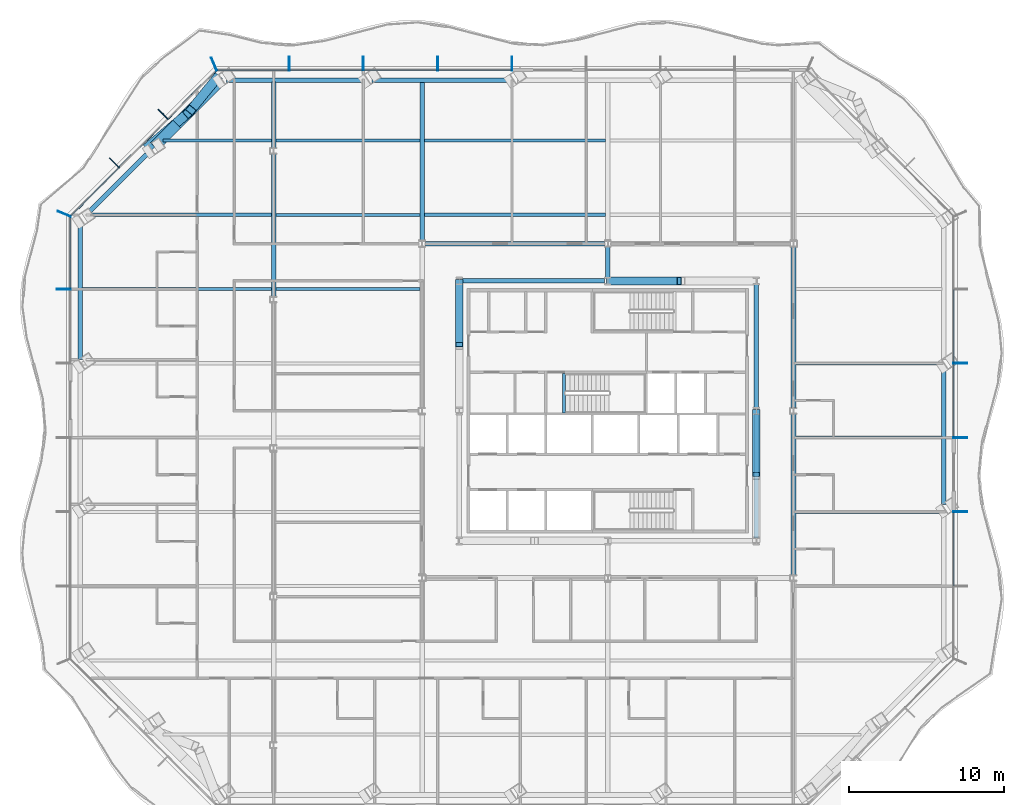
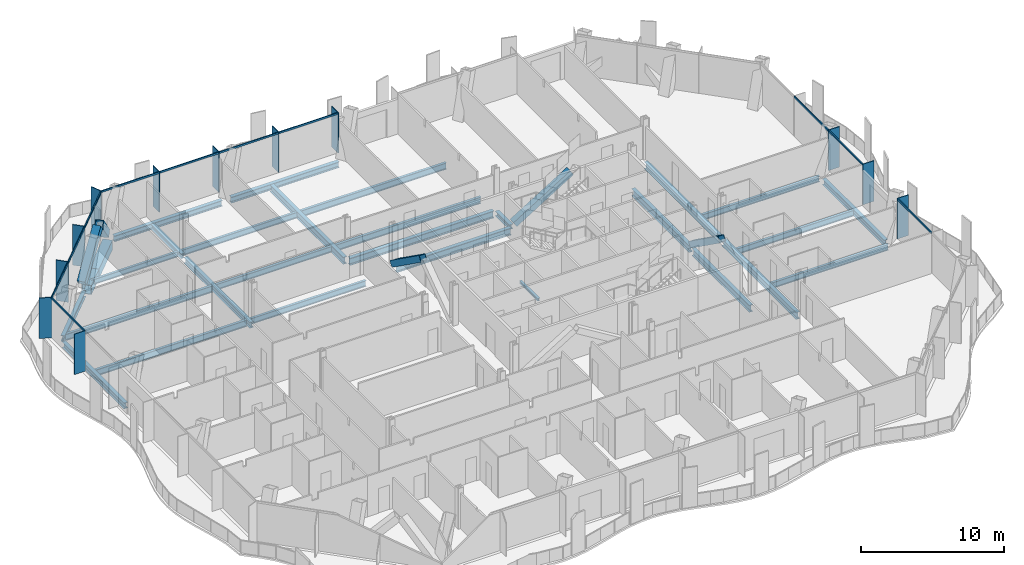
# One storey, part 3 of 17: 29 beams, 28 members, 4 elements without a shape of their own.
"""IFC4 building model written with IfcOpenShell, lengths in metres."""

from ifc_helpers import new_model, si_unit, direction, frame, origin, origin_2d, place, context, subcontext, project, spatial, rectangle, hollow_rectangle, i_section, extrude, material, material_profile, profile_set, type_object, element, aggregate, save


model = new_model("IFC4")

# Units and contexts
model_context = context("Model", 3, precision=1e-05, world=origin(), true_north=direction((0.0, 1.0)))
body_context = subcontext(model_context, "Body", "Model", "MODEL_VIEW")
ifc_project = project(units=[si_unit("LENGTHUNIT", "METRE"), si_unit("AREAUNIT", "SQUARE_METRE"), si_unit("VOLUMEUNIT", "CUBIC_METRE"), si_unit("PLANEANGLEUNIT", "RADIAN"), si_unit("MASSUNIT", "GRAM", prefix="KILO")], contexts=[model_context])

# Site, building, storey
site_placement = place(None, origin())
site = spatial("IfcSite", under=ifc_project, at=site_placement, CompositionType="ELEMENT")
building_placement = place(site_placement, origin())
building = spatial("IfcBuilding", under=site, at=building_placement, Name="Cairn Pilgrim Tower", CompositionType="ELEMENT")
storey_placement = place(building_placement, frame((0.0, 0.0, 94.199951171875)))
storey = spatial("IfcBuildingStorey", under=building, at=storey_placement, Name="L22", CompositionType="ELEMENT", Elevation=94.199951171875)

# Members
ifc_material_1 = material(Name="Structural steel S460M", Category="steel")
ifc_material_profile_1 = material_profile(ifc_material_1, hollow_rectangle(XDim=0.5, YDim=0.5, WallThickness=0.030029296875, at=origin_2d()), Name="BOX 500x500x30")
ifc_profile_set_1 = profile_set([ifc_material_profile_1], Name="Structural steel S460M")
member_type_1 = type_object("IfcMemberType", Name="BOX 500x500x30 BRACE", PredefinedType="BRACE", material=ifc_profile_set_1)
member_1_placement = place(storey_placement, frame((16.800048828125, 2.356201171875, 0.10009765625), z_axis=(0.0, -0.814182254599, 0.580609383576), x_axis=(1.0, 0.0, 0.0)))
element("IfcMember", 1, at=member_1_placement, inside=storey, type_object=member_type_1, Name="KB-2B", PredefinedType="BRACE", context=body_context, shape_type="SweptSolid", body=[
    extrude(hollow_rectangle(XDim=0.5, YDim=0.5, WallThickness=0.030029296875, at=origin_2d()), origin(), (0.0, 0.0, 1.0), 4.996337890625),
])
member_2_placement = place(storey_placement, frame((7.24365234375, 10.800048828125, 0.10009765625), z_axis=(0.851007515624, 0.0, 0.525153509321), x_axis=(0.0, 1.0, 0.0)))
element("IfcMember", 2, at=member_2_placement, inside=storey, type_object=member_type_1, Name="KB-3B", PredefinedType="BRACE", context=body_context, shape_type="SweptSolid", body=[
    extrude(hollow_rectangle(XDim=0.5, YDim=0.5, WallThickness=0.030029296875, at=origin_2d()), origin(), (0.0, 0.0, 1.0), 5.37646484375),
])
member_3_placement = place(storey_placement, frame((-2.39990234375, 10.75634765625, 0.10009765625), z_axis=(0.0, -0.814198726233, 0.580586284889), x_axis=(1.0, 0.0, 0.0)))
element("IfcMember", 3, at=member_3_placement, inside=storey, type_object=member_type_1, Name="KB-4A", PredefinedType="BRACE", context=body_context, shape_type="SweptSolid", body=[
    extrude(hollow_rectangle(XDim=0.5, YDim=0.5, WallThickness=0.030029296875, at=origin_2d()), origin(), (0.0, 0.0, 1.0), 4.99658203125),
])
ifc_material_profile_2 = material_profile(ifc_material_1, hollow_rectangle(XDim=0.60009765625, YDim=0.60009765625, WallThickness=0.034912109375, at=origin_2d()), Name="BOX 600x600x35")
ifc_profile_set_2 = profile_set([ifc_material_profile_2], Name="Structural steel S460M")
member_type_2 = type_object("IfcMemberType", Name="BOX 600x600x35 BRACE", PredefinedType="BRACE", material=ifc_profile_set_2)
member_4_placement = place(storey_placement, frame((-18.062744140625, 23.903076171875, 0.150146484375), z_axis=(-0.45008862219, -0.551118248993, 0.702629993525), x_axis=(0.774526124474, -0.632541921542, 0.0)))
element("IfcMember", 4, at=member_4_placement, inside=storey, type_object=member_type_2, Name="XB-NW1-NW2-1", PredefinedType="BRACE", context=body_context, shape_type="SweptSolid", body=[
    extrude(hollow_rectangle(XDim=0.60009765625, YDim=0.60009765625, WallThickness=0.034912109375, at=origin_2d()), origin(), (0.0, 0.0, 1.0), 3.733642578125),
])
member_5_placement = place(storey_placement, frame((-22.486083984375, 19.479736328125, 0.150146484375), z_axis=(0.596586502099, 0.507150625353, 0.6219990263), x_axis=(-0.647687046604, 0.761906483541, 0.0)))
element("IfcMember", 5, at=member_5_placement, inside=storey, type_object=member_type_2, Name="XB-NW1-NW2-2", PredefinedType="BRACE", context=body_context, shape_type="SweptSolid", body=[
    extrude(hollow_rectangle(XDim=0.60009765625, YDim=0.60009765625, WallThickness=0.034912109375, at=origin_2d()), origin(), (0.0, 0.0, 1.0), 4.217529296875),
])

# Beams
ifc_material_2 = material(Name="Structural steel S355J2", Category="steel")
ifc_material_profile_3 = material_profile(ifc_material_2, hollow_rectangle(XDim=0.699951171875, YDim=0.800048828125, WallThickness=0.0400390625, at=origin_2d()), Name="BOX 700x800x40")
ifc_profile_set_3 = profile_set([ifc_material_profile_3], Name="Structural steel S355J2")
beam_type_1 = type_object("IfcBeamType", Name="BOX 700x800x40 RING GIRDER", PredefinedType="SPANDREL", material=ifc_profile_set_3)
beam_1_placement = place(storey_placement, frame((-18.073486328125, 23.517578125, -0.550048828125), z_axis=(-0.707140148658, -0.70707341214, 0.0), x_axis=(0.70707341214, -0.707140148658, 0.0)))
element("IfcBeam", 6, at=beam_1_placement, inside=storey, type_object=beam_type_1, Name="RG1-NW1-NW2-1", PredefinedType="SPANDREL", context=body_context, shape_type="SweptSolid", body=[
    extrude(hollow_rectangle(XDim=0.699951171875, YDim=0.800048828125, WallThickness=0.0400390625, at=origin_2d()), origin(), (0.0, 0.0, 1.0), 3.658203125),
])
beam_2_placement = place(storey_placement, frame((-20.660400390625, 20.930908203125, -0.550048828125), z_axis=(-0.707046849265, -0.707166708029, 0.0), x_axis=(0.707166708029, -0.707046849265, 0.0)))
element("IfcBeam", 7, at=beam_2_placement, inside=storey, type_object=beam_type_1, Name="RG1-NW1-NW2-2", PredefinedType="SPANDREL", context=body_context, shape_type="SweptSolid", body=[
    extrude(hollow_rectangle(XDim=0.699951171875, YDim=0.800048828125, WallThickness=0.0400390625, at=origin_2d()), origin(), (0.0, 0.0, 1.0), 2.036865234375),
])

# Curtain wall, members
ifc_material_3 = material(Name="Aluminium alloy 6063-T6 bronze anodised with Bronze tinted laminated low-E glass 8+16+8.8", Category="aluminium")
curtain_wall_type_1 = type_object("IfcCurtainWallType", Name="TOWER STICK CURTAIN WALL EW", PredefinedType="NOTDEFINED", material=ifc_material_3)
curtain_wall_1_placement = place(storey_placement, origin())
curtain_wall_1 = element("IfcCurtainWall", 8, at=curtain_wall_1_placement, inside=storey, type_object=curtain_wall_type_1, Name="Tower Stick Curtain Wall Ew E", PredefinedType="NOTDEFINED")
ifc_material_4 = material(Name="Aluminium alloy 6063-T6 bronze anodised", Category="aluminium")
ifc_material_profile_4 = material_profile(ifc_material_4, rectangle(XDim=0.89990234375, YDim=0.06005859375, at=origin_2d()), Name="FIN MULLION 60x900 BRONZE")
ifc_profile_set_4 = profile_set([ifc_material_profile_4], Name="Aluminium alloy 6063-T6 bronze anodised")
member_type_3 = type_object("IfcMemberType", Name="FIN MULLION 60x900 BRONZE", PredefinedType="MULLION", material=ifc_profile_set_4)
member_6_placement = place(storey_placement, frame((29.978271484375, -4.127685546875, 0.0), z_axis=(0.0, 0.0, 1.0), x_axis=(1.0, 0.0, 0.0)))
member_6 = element("IfcMember", 9, at=member_6_placement, type_object=member_type_3, Name="Fin mullion E3", PredefinedType="MULLION", context=body_context, shape_type="SweptSolid", body=[
    extrude(rectangle(XDim=0.89990234375, YDim=0.06005859375, at=origin_2d()), origin(), (0.0, 0.0, 1.0), 3.449951171875),
])
member_7_placement = place(storey_placement, frame((29.978271484375, 0.67236328125, 0.0), z_axis=(0.0, 0.0, 1.0), x_axis=(1.0, 0.0, 0.0)))
member_7 = element("IfcMember", 10, at=member_7_placement, type_object=member_type_3, Name="Fin mullion E4", PredefinedType="MULLION", context=body_context, shape_type="SweptSolid", body=[
    extrude(rectangle(XDim=0.89990234375, YDim=0.06005859375, at=origin_2d()), origin(), (0.0, 0.0, 1.0), 3.449951171875),
])
member_8_placement = place(storey_placement, frame((29.978271484375, 5.47216796875, 0.0), z_axis=(0.0, 0.0, 1.0), x_axis=(1.0, 0.0, 0.0)))
member_8 = element("IfcMember", 11, at=member_8_placement, type_object=member_type_3, Name="Fin mullion E5", PredefinedType="MULLION", context=body_context, shape_type="SweptSolid", body=[
    extrude(rectangle(XDim=0.89990234375, YDim=0.06005859375, at=origin_2d()), origin(), (0.0, 0.0, 1.0), 3.449951171875),
])

curtain_wall_type_2 = type_object("IfcCurtainWallType", Name="TOWER STICK CURTAIN WALL NS", PredefinedType="NOTDEFINED", material=ifc_material_3)
curtain_wall_2_placement = place(storey_placement, origin())
curtain_wall_2 = element("IfcCurtainWall", 12, at=curtain_wall_2_placement, inside=storey, type_object=curtain_wall_type_2, Name="Tower Stick Curtain Wall Ns N", PredefinedType="NOTDEFINED")
member_9_placement = place(storey_placement, frame((1.00830078125, 24.84228515625, 0.0), z_axis=(0.0, 0.0, 1.0), x_axis=(0.0, 1.0, 0.0)))
member_9 = element("IfcMember", 13, at=member_9_placement, type_object=member_type_3, Name="Fin mullion N5", PredefinedType="MULLION", context=body_context, shape_type="SweptSolid", body=[
    extrude(rectangle(XDim=0.89990234375, YDim=0.06005859375, at=origin_2d()), origin(), (0.0, 0.0, 1.0), 3.449951171875),
])
member_10_placement = place(storey_placement, frame((-3.79150390625, 24.84228515625, 0.0), z_axis=(0.0, 0.0, 1.0), x_axis=(0.0, 1.0, 0.0)))
member_10 = element("IfcMember", 14, at=member_10_placement, type_object=member_type_3, Name="Fin mullion N6", PredefinedType="MULLION", context=body_context, shape_type="SweptSolid", body=[
    extrude(rectangle(XDim=0.89990234375, YDim=0.06005859375, at=origin_2d()), origin(), (0.0, 0.0, 1.0), 3.449951171875),
])
member_11_placement = place(storey_placement, frame((-8.591552734375, 24.84228515625, 0.0), z_axis=(0.0, 0.0, 1.0), x_axis=(0.0, 1.0, 0.0)))
member_11 = element("IfcMember", 15, at=member_11_placement, type_object=member_type_3, Name="Fin mullion N7", PredefinedType="MULLION", context=body_context, shape_type="SweptSolid", body=[
    extrude(rectangle(XDim=0.89990234375, YDim=0.06005859375, at=origin_2d()), origin(), (0.0, 0.0, 1.0), 3.449951171875),
])
member_12_placement = place(storey_placement, frame((-13.3916015625, 24.84228515625, 0.0), z_axis=(0.0, 0.0, 1.0), x_axis=(0.0, 1.0, 0.0)))
member_12 = element("IfcMember", 16, at=member_12_placement, type_object=member_type_3, Name="Fin mullion N8", PredefinedType="MULLION", context=body_context, shape_type="SweptSolid", body=[
    extrude(rectangle(XDim=0.89990234375, YDim=0.06005859375, at=origin_2d()), origin(), (0.0, 0.0, 1.0), 3.449951171875),
])

curtain_wall_type_3 = type_object("IfcCurtainWallType", Name="CHAMFER CORNER CURTAIN WALL", PredefinedType="NOTDEFINED", material=ifc_material_3)
curtain_wall_3_placement = place(storey_placement, origin())
curtain_wall_3 = element("IfcCurtainWall", 17, at=curtain_wall_3_placement, inside=storey, type_object=curtain_wall_type_3, Name="Chamfer Corner Curtain Wall NW", PredefinedType="NOTDEFINED")
member_13_placement = place(storey_placement, frame((-18.248779296875, 24.810302734375, 0.0), z_axis=(0.0, 0.0, 1.0), x_axis=(-0.382683432365, 0.923879532511, 0.0)))
member_13 = element("IfcMember", 18, at=member_13_placement, type_object=member_type_3, Name="Fin mullion NW1", PredefinedType="MULLION", context=body_context, shape_type="SweptSolid", body=[
    extrude(rectangle(XDim=0.89990234375, YDim=0.06005859375, at=origin_2d()), origin(), (0.0, 0.0, 1.0), 3.449951171875),
])
member_14_placement = place(storey_placement, frame((-21.5361328125, 21.568115234375, 0.0), z_axis=(0.0, 0.0, 1.0), x_axis=(-0.707106781187, 0.707106781187, 0.0)))
member_14 = element("IfcMember", 19, at=member_14_placement, type_object=member_type_3, Name="Fin mullion NW2", PredefinedType="MULLION", context=body_context, shape_type="SweptSolid", body=[
    extrude(rectangle(XDim=0.89990234375, YDim=0.06005859375, at=origin_2d()), origin(), (0.0, 0.0, 1.0), 3.449951171875),
])
member_15_placement = place(storey_placement, frame((-24.6875, 18.4169921875, 0.0), z_axis=(0.0, 0.0, 1.0), x_axis=(-0.707106781187, 0.707106781187, 0.0)))
member_15 = element("IfcMember", 20, at=member_15_placement, type_object=member_type_3, Name="Fin mullion NW3", PredefinedType="MULLION", context=body_context, shape_type="SweptSolid", body=[
    extrude(rectangle(XDim=0.89990234375, YDim=0.06005859375, at=origin_2d()), origin(), (0.0, 0.0, 1.0), 3.449951171875),
])

curtain_wall_4_placement = place(storey_placement, origin())
curtain_wall_4 = element("IfcCurtainWall", 21, at=curtain_wall_4_placement, inside=storey, type_object=curtain_wall_type_1, Name="Tower Stick Curtain Wall Ew W", PredefinedType="NOTDEFINED")
member_16_placement = place(storey_placement, frame((-27.9296875, 15.12939453125, 0.0), z_axis=(0.0, 0.0, 1.0), x_axis=(-0.923879532511, 0.382683432365, 0.0)))
member_16 = element("IfcMember", 22, at=member_16_placement, type_object=member_type_3, Name="Fin mullion W1", PredefinedType="MULLION", context=body_context, shape_type="SweptSolid", body=[
    extrude(rectangle(XDim=0.89990234375, YDim=0.06005859375, at=origin_2d()), origin(), (0.0, 0.0, 1.0), 3.449951171875),
])
member_17_placement = place(storey_placement, frame((-27.961669921875, 10.272216796875, 0.0), z_axis=(0.0, 0.0, 1.0), x_axis=(-1.0, 0.0, 0.0)))
member_17 = element("IfcMember", 23, at=member_17_placement, type_object=member_type_3, Name="Fin mullion W2", PredefinedType="MULLION", context=body_context, shape_type="SweptSolid", body=[
    extrude(rectangle(XDim=0.89990234375, YDim=0.06005859375, at=origin_2d()), origin(), (0.0, 0.0, 1.0), 3.449951171875),
])

# Beams
ifc_material_profile_5 = material_profile(ifc_material_2, i_section(OverallWidth=0.300048828125, OverallDepth=0.39990234375, WebThickness=0.013427734375, FlangeThickness=0.02392578125, FilletRadius=0.027099609375, at=origin_2d()), Name="HEB 400")
ifc_profile_set_5 = profile_set([ifc_material_profile_5], Name="Structural steel S355J2")
beam_type_2 = type_object("IfcBeamType", Name="HEB 400 GIRDER", PredefinedType="BEAM", material=ifc_profile_set_5)
beam_3_placement = place(storey_placement, frame((-14.39990234375, 19.404541015625, -0.349853515625), z_axis=(0.0, 1.0, 0.0), x_axis=(-1.0, 0.0, 0.0)))
element("IfcBeam", 24, at=beam_3_placement, inside=storey, type_object=beam_type_2, Name="PG1-6", PredefinedType="BEAM", context=body_context, shape_type="SweptSolid", body=[
    extrude(i_section(OverallWidth=0.300048828125, OverallDepth=0.39990234375, WebThickness=0.013427734375, FlangeThickness=0.02392578125, FilletRadius=0.027099609375, at=origin_2d()), origin(), (0.0, 0.0, 1.0), 4.247802734375),
])
beam_4_placement = place(storey_placement, frame((7.199951171875, 11.0185546875, -0.349853515625), z_axis=(0.0, 1.0, 0.0), x_axis=(-1.0, 0.0, 0.0)))
element("IfcBeam", 25, at=beam_4_placement, inside=storey, type_object=beam_type_2, Name="PG3-E2", PredefinedType="BEAM", context=body_context, shape_type="SweptSolid", body=[
    extrude(i_section(OverallWidth=0.300048828125, OverallDepth=0.39990234375, WebThickness=0.013427734375, FlangeThickness=0.02392578125, FilletRadius=0.027099609375, at=origin_2d()), origin(), (0.0, 0.0, 1.0), 1.97705078125),
])
ifc_material_profile_6 = material_profile(ifc_material_2, i_section(OverallWidth=0.300048828125, OverallDepth=0.5, WebThickness=0.014404296875, FlangeThickness=0.028076171875, FilletRadius=0.027099609375, at=origin_2d()), Name="HEB 500")
ifc_profile_set_6 = profile_set([ifc_material_profile_6], Name="Structural steel S355J2")
beam_type_3 = type_object("IfcBeamType", Name="HEB 500 GIRDER", PredefinedType="BEAM", material=ifc_profile_set_6)
beam_5_placement = place(storey_placement, frame((-14.39990234375, 9.804443359375, -0.39990234375), z_axis=(0.0, 1.0, 0.0), x_axis=(-1.0, 0.0, 0.0)))
element("IfcBeam", 26, at=beam_5_placement, inside=storey, type_object=beam_type_3, Name="PG1-5", PredefinedType="BEAM", context=body_context, shape_type="SweptSolid", body=[
    extrude(i_section(OverallWidth=0.300048828125, OverallDepth=0.5, WebThickness=0.014404296875, FlangeThickness=0.028076171875, FilletRadius=0.027099609375, at=origin_2d()), origin(), (0.0, 0.0, 1.0), 9.191162109375),
])
ifc_material_profile_7 = material_profile(ifc_material_2, i_section(OverallWidth=0.300048828125, OverallDepth=0.5, WebThickness=0.014404296875, FlangeThickness=0.028076171875, FilletRadius=0.027099609375, at=origin_2d()), Name="HEB 500")
ifc_profile_set_7 = profile_set([ifc_material_profile_7], Name="Structural steel S355J2")
beam_type_4 = type_object("IfcBeamType", Name="HEB 500 RING GIRDER", PredefinedType="SPANDREL", material=ifc_profile_set_7)
beam_6_placement = place(storey_placement, frame((28.908447265625, -3.6435546875, -0.39990234375), z_axis=(0.0, 1.0, 0.0), x_axis=(-1.0, 0.0, 0.0)))
element("IfcBeam", 27, at=beam_6_placement, inside=storey, type_object=beam_type_4, Name="RG1-E2-E3", PredefinedType="SPANDREL", context=body_context, shape_type="SweptSolid", body=[
    extrude(i_section(OverallWidth=0.300048828125, OverallDepth=0.5, WebThickness=0.014404296875, FlangeThickness=0.028076171875, FilletRadius=0.027099609375, at=origin_2d()), origin(), (0.0, 0.0, 1.0), 8.631591796875),
])
for number, where, z_axis, x_axis, name in (
    (28, (0.6484375, 23.772216796875, -0.39990234375), (-1.0, 0.0, 0.0), (0.0, -1.0, 0.0), "RG1-N3-N4"),
    (29, (-8.76513671875, 23.772216796875, -0.39990234375), (-1.0, 0.0, 0.0), (0.0, -1.0, 0.0), "RG1-N4-NW1"),
):
    element("IfcBeam", number, at=place(storey_placement, frame(where, z_axis=z_axis, x_axis=x_axis)), inside=storey, type_object=beam_type_4, Name=name, PredefinedType="SPANDREL", context=body_context, shape_type="SweptSolid", body=[
        extrude(i_section(OverallWidth=0.300048828125, OverallDepth=0.5, WebThickness=0.014404296875, FlangeThickness=0.028076171875, FilletRadius=0.027099609375, at=origin_2d()), origin(), (0.0, 0.0, 1.0), 8.693603515625),
    ])
beam_7_placement = place(storey_placement, frame((-22.60986328125, 18.981201171875, -0.39990234375), z_axis=(-0.707128214185, -0.707085347538, 0.0), x_axis=(0.707085347538, -0.707128214185, 0.0)))
element("IfcBeam", 30, at=beam_7_placement, inside=storey, type_object=beam_type_4, Name="RG1-NW2-W1", PredefinedType="SPANDREL", context=body_context, shape_type="SweptSolid", body=[
    extrude(i_section(OverallWidth=0.300048828125, OverallDepth=0.5, WebThickness=0.014404296875, FlangeThickness=0.028076171875, FilletRadius=0.027099609375, at=origin_2d()), origin(), (0.0, 0.0, 1.0), 5.6953125),
])
beam_8_placement = place(storey_placement, frame((-26.8916015625, 14.339599609375, -0.39990234375), z_axis=(0.0, -1.0, 0.0), x_axis=(1.0, 0.0, 0.0)))
element("IfcBeam", 31, at=beam_8_placement, inside=storey, type_object=beam_type_4, Name="RG1-W1-W2", PredefinedType="SPANDREL", context=body_context, shape_type="SweptSolid", body=[
    extrude(i_section(OverallWidth=0.300048828125, OverallDepth=0.5, WebThickness=0.014404296875, FlangeThickness=0.028076171875, FilletRadius=0.027099609375, at=origin_2d()), origin(), (0.0, 0.0, 1.0), 8.631591796875),
])
ifc_material_profile_8 = material_profile(ifc_material_2, i_section(OverallWidth=0.300048828125, OverallDepth=0.60009765625, WebThickness=0.015380859375, FlangeThickness=0.030029296875, FilletRadius=0.027099609375, at=origin_2d()), Name="HEB 600")
ifc_profile_set_8 = profile_set([ifc_material_profile_8], Name="Structural steel S355J2")
beam_type_5 = type_object("IfcBeamType", Name="HEB 600 CORE BEAM", PredefinedType="BEAM", material=ifc_profile_set_8)
for number, where, z_axis, x_axis, name in (
    (32, (16.800048828125, -5.803466796875, -0.449951171875), (0.0, 1.0, 0.0), (-1.0, 0.0, 0.0), "CB-3"),
    (33, (16.800048828125, 2.5966796875, -0.449951171875), (0.0, 1.0, 0.0), (-1.0, 0.0, 0.0), "CB-4"),
):
    element("IfcBeam", number, at=place(storey_placement, frame(where, z_axis=z_axis, x_axis=x_axis)), inside=storey, type_object=beam_type_5, Name=name, PredefinedType="BEAM", context=body_context, shape_type="SweptSolid", body=[
        extrude(i_section(OverallWidth=0.300048828125, OverallDepth=0.60009765625, WebThickness=0.015380859375, FlangeThickness=0.030029296875, FilletRadius=0.027099609375, at=origin_2d()), origin(), (0.0, 0.0, 1.0), 8.0068359375),
    ])
beam_9_placement = place(storey_placement, frame((7.00341796875, 10.800048828125, -0.449951171875), z_axis=(-1.0, 0.0, 0.0), x_axis=(0.0, -1.0, 0.0)))
element("IfcBeam", 34, at=beam_9_placement, inside=storey, type_object=beam_type_5, Name="CB-6", PredefinedType="BEAM", context=body_context, shape_type="SweptSolid", body=[
    extrude(i_section(OverallWidth=0.300048828125, OverallDepth=0.60009765625, WebThickness=0.015380859375, FlangeThickness=0.030029296875, FilletRadius=0.027099609375, at=origin_2d()), origin(), (0.0, 0.0, 1.0), 9.206787109375),
])
ifc_material_profile_9 = material_profile(ifc_material_2, i_section(OverallWidth=0.300048828125, OverallDepth=0.60009765625, WebThickness=0.015380859375, FlangeThickness=0.030029296875, FilletRadius=0.027099609375, at=origin_2d()), Name="HEB 600")
ifc_profile_set_9 = profile_set([ifc_material_profile_9], Name="Structural steel S355J2")
beam_type_6 = type_object("IfcBeamType", Name="HEB 600 GIRDER", PredefinedType="BEAM", material=ifc_profile_set_9)
beam_10_placement = place(storey_placement, frame((-4.800048828125, 13.404541015625, -0.449951171875), z_axis=(0.0, 1.0, 0.0), x_axis=(-1.0, 0.0, 0.0)))
element("IfcBeam", 35, at=beam_10_placement, inside=storey, type_object=beam_type_6, Name="PG2-4", PredefinedType="BEAM", context=body_context, shape_type="SweptSolid", body=[
    extrude(i_section(OverallWidth=0.300048828125, OverallDepth=0.60009765625, WebThickness=0.015380859375, FlangeThickness=0.030029296875, FilletRadius=0.027099609375, at=origin_2d()), origin(), (0.0, 0.0, 1.0), 10.247802734375),
])
for number, where, z_axis, x_axis, name in (
    (36, (19.199951171875, -8.195556640625, -0.449951171875), (0.0, 1.0, 0.0), (-1.0, 0.0, 0.0), "PG4-2"),
    (37, (19.199951171875, 2.6044921875, -0.449951171875), (0.0, 1.0, 0.0), (-1.0, 0.0, 0.0), "PG4-3"),
):
    element("IfcBeam", number, at=place(storey_placement, frame(where, z_axis=z_axis, x_axis=x_axis)), inside=storey, type_object=beam_type_6, Name=name, PredefinedType="BEAM", context=body_context, shape_type="SweptSolid", body=[
        extrude(i_section(OverallWidth=0.300048828125, OverallDepth=0.60009765625, WebThickness=0.015380859375, FlangeThickness=0.030029296875, FilletRadius=0.027099609375, at=origin_2d()), origin(), (0.0, 0.0, 1.0), 10.39111328125),
    ])
ifc_material_profile_10 = material_profile(ifc_material_2, i_section(OverallWidth=0.300048828125, OverallDepth=0.60009765625, WebThickness=0.015380859375, FlangeThickness=0.030029296875, FilletRadius=0.027099609375, at=origin_2d()), Name="HEB 600")
ifc_profile_set_10 = profile_set([ifc_material_profile_10], Name="Structural steel S355J2")
beam_type_7 = type_object("IfcBeamType", Name="HEB 600 INNER GIRDER", PredefinedType="BEAM", material=ifc_profile_set_10)
beam_11_placement = place(storey_placement, frame((-4.595458984375, 13.199951171875, -0.449951171875), z_axis=(1.0, 0.0, 0.0), x_axis=(0.0, 1.0, 0.0)))
element("IfcBeam", 38, at=beam_11_placement, inside=storey, type_object=beam_type_7, Name="IG2-1", PredefinedType="BEAM", context=body_context, shape_type="SweptSolid", body=[
    extrude(i_section(OverallWidth=0.300048828125, OverallDepth=0.60009765625, WebThickness=0.015380859375, FlangeThickness=0.030029296875, FilletRadius=0.027099609375, at=origin_2d()), origin(), (0.0, 0.0, 1.0), 11.591064453125),
])
ifc_material_profile_11 = material_profile(ifc_material_2, i_section(OverallWidth=0.18994140625, OverallDepth=0.449951171875, WebThickness=0.009521484375, FlangeThickness=0.0146484375, FilletRadius=0.02099609375, at=origin_2d()), Name="IPE 450")
ifc_profile_set_11 = profile_set([ifc_material_profile_11], Name="Structural steel S355J2")
beam_type_8 = type_object("IfcBeamType", Name="IPE 450 SECONDARY BEAM", PredefinedType="JOIST", material=ifc_profile_set_11)
beam_12_placement = place(storey_placement, frame((-21.53662109375, 19.872314453125, -0.375), z_axis=(1.0, 0.0, 0.0), x_axis=(0.0, 1.0, 0.0)))
element("IfcBeam", 39, at=beam_12_placement, inside=storey, type_object=beam_type_8, Name="SB9-1", PredefinedType="JOIST", context=body_context, shape_type="SweptSolid", body=[
    extrude(i_section(OverallWidth=0.18994140625, OverallDepth=0.449951171875, WebThickness=0.009521484375, FlangeThickness=0.0146484375, FilletRadius=0.02099609375, at=origin_2d()), origin(), (0.0, 0.0, 1.0), 6.986572265625),
])
ifc_material_profile_12 = material_profile(ifc_material_2, i_section(OverallWidth=0.199951171875, OverallDepth=0.5, WebThickness=0.01025390625, FlangeThickness=0.01611328125, FilletRadius=0.02099609375, at=origin_2d()), Name="IPE 500")
ifc_profile_set_12 = profile_set([ifc_material_profile_12], Name="Structural steel S355J2")
beam_type_9 = type_object("IfcBeamType", Name="IPE 500 SECONDARY BEAM", PredefinedType="JOIST", material=ifc_profile_set_12)
for number, where, z_axis, x_axis, name in (
    (40, (19.35009765625, -4.127685546875, -0.39990234375), (1.0, 0.0, 0.0), (0.0, 1.0, 0.0), "SB4-3"),
    (41, (19.35009765625, 0.67236328125, -0.39990234375), (1.0, 0.0, 0.0), (0.0, 1.0, 0.0), "SB5-3"),
    (42, (19.35009765625, 5.472412109375, -0.39990234375), (1.0, 0.0, 0.0), (0.0, 1.0, 0.0), "SB6-3"),
):
    element("IfcBeam", number, at=place(storey_placement, frame(where, z_axis=z_axis, x_axis=x_axis)), inside=storey, type_object=beam_type_9, Name=name, PredefinedType="JOIST", context=body_context, shape_type="SweptSolid", body=[
        extrude(i_section(OverallWidth=0.199951171875, OverallDepth=0.5, WebThickness=0.01025390625, FlangeThickness=0.01611328125, FilletRadius=0.02099609375, at=origin_2d()), origin(), (0.0, 0.0, 1.0), 9.438232421875),
    ])
for number, where, z_axis, x_axis, name in (
    (43, (-14.25, 10.272216796875, -0.39990234375), (1.0, 0.0, 0.0), (0.0, 1.0, 0.0), "SB7-2"),
    (44, (-14.25, 15.072265625, -0.39990234375), (1.0, 0.0, 0.0), (0.0, 1.0, 0.0), "SB8-2"),
    (45, (-14.25, 19.872314453125, -0.39990234375), (1.0, 0.0, 0.0), (0.0, 1.0, 0.0), "SB9-2"),
):
    element("IfcBeam", number, at=place(storey_placement, frame(where, z_axis=z_axis, x_axis=x_axis)), inside=storey, type_object=beam_type_9, Name=name, PredefinedType="JOIST", context=body_context, shape_type="SweptSolid", body=[
        extrude(i_section(OverallWidth=0.199951171875, OverallDepth=0.5, WebThickness=0.01025390625, FlangeThickness=0.01611328125, FilletRadius=0.02099609375, at=origin_2d()), origin(), (0.0, 0.0, 1.0), 9.300048828125),
    ])
ifc_material_profile_13 = material_profile(ifc_material_2, i_section(OverallWidth=0.2099609375, OverallDepth=0.550048828125, WebThickness=0.010986328125, FlangeThickness=0.01708984375, FilletRadius=0.02392578125, at=origin_2d()), Name="IPE 550")
ifc_profile_set_13 = profile_set([ifc_material_profile_13], Name="Structural steel S355J2")
beam_type_10 = type_object("IfcBeamType", Name="IPE 550 SECONDARY BEAM", PredefinedType="JOIST", material=ifc_profile_set_13)
beam_13_placement = place(storey_placement, frame((-26.771484375, 10.272216796875, -0.425048828125), z_axis=(1.0, 0.0, 0.0), x_axis=(0.0, 1.0, 0.0)))
element("IfcBeam", 46, at=beam_13_placement, inside=storey, type_object=beam_type_10, Name="SB7-1", PredefinedType="JOIST", context=body_context, shape_type="SweptSolid", body=[
    extrude(i_section(OverallWidth=0.2099609375, OverallDepth=0.550048828125, WebThickness=0.010986328125, FlangeThickness=0.01708984375, FilletRadius=0.02392578125, at=origin_2d()), origin(), (0.0, 0.0, 1.0), 12.221435546875),
])
beam_14_placement = place(storey_placement, frame((-26.336669921875, 15.072265625, -0.425048828125), z_axis=(1.0, 0.0, 0.0), x_axis=(0.0, 1.0, 0.0)))
element("IfcBeam", 47, at=beam_14_placement, inside=storey, type_object=beam_type_10, Name="SB8-1", PredefinedType="JOIST", context=body_context, shape_type="SweptSolid", body=[
    extrude(i_section(OverallWidth=0.2099609375, OverallDepth=0.550048828125, WebThickness=0.010986328125, FlangeThickness=0.01708984375, FilletRadius=0.02392578125, at=origin_2d()), origin(), (0.0, 0.0, 1.0), 11.78662109375),
])
for number, where, z_axis, x_axis, name in (
    (48, (-4.64990234375, 15.072265625, -0.425048828125), (1.0, 0.0, 0.0), (0.0, 1.0, 0.0), "SB8-3"),
    (49, (-4.64990234375, 19.872314453125, -0.425048828125), (1.0, 0.0, 0.0), (0.0, 1.0, 0.0), "SB9-3"),
):
    element("IfcBeam", number, at=place(storey_placement, frame(where, z_axis=z_axis, x_axis=x_axis)), inside=storey, type_object=beam_type_10, Name=name, PredefinedType="JOIST", context=body_context, shape_type="SweptSolid", body=[
        extrude(i_section(OverallWidth=0.2099609375, OverallDepth=0.550048828125, WebThickness=0.010986328125, FlangeThickness=0.01708984375, FilletRadius=0.02392578125, at=origin_2d()), origin(), (0.0, 0.0, 1.0), 11.699951171875),
    ])
ifc_material_profile_14 = material_profile(ifc_material_2, i_section(OverallWidth=0.199951171875, OverallDepth=0.199951171875, WebThickness=0.009033203125, FlangeThickness=0.014892578125, FilletRadius=0.01806640625, at=origin_2d()), Name="HE 200 B")
ifc_profile_set_14 = profile_set([ifc_material_profile_14], Name="Structural steel S355J2")
beam_type_11 = type_object("IfcBeamType", Name="STAIR LANDING BEAM HE 200 B", PredefinedType="BEAM", material=ifc_profile_set_14)
beam_15_placement = place(storey_placement, frame((4.37548828125, 2.27490234375, -0.25), z_axis=(0.0, 1.0, 0.0), x_axis=(-1.0, 0.0, 0.0)))
element("IfcBeam", 50, at=beam_15_placement, inside=storey, type_object=beam_type_11, Name="STAIR LANDING BEAM LD-HE200B", PredefinedType="BEAM", context=body_context, shape_type="SweptSolid", body=[
    extrude(i_section(OverallWidth=0.199951171875, OverallDepth=0.199951171875, WebThickness=0.009033203125, FlangeThickness=0.014892578125, FilletRadius=0.01806640625, at=origin_2d()), origin(), (0.0, 0.0, 1.0), 2.550048828125),
])

# Member
ifc_material_profile_15 = material_profile(ifc_material_4, rectangle(XDim=0.080078125, YDim=0.14990234375, at=origin_2d()), Name="TRANSOM 80x150 BRONZE")
ifc_profile_set_15 = profile_set([ifc_material_profile_15], Name="Aluminium alloy 6063-T6 bronze anodised")
member_type_4 = type_object("IfcMemberType", Name="TRANSOM 80x150 BRONZE", PredefinedType="USERDEFINED", material=ifc_profile_set_15)
member_18_placement = place(storey_placement, frame((29.558349609375, -8.897705078125, 3.375), z_axis=(0.0, 1.0, 0.0), x_axis=(-1.0, 0.0, 0.0)))
member_18 = element("IfcMember", 51, at=member_18_placement, type_object=member_type_4, Name="Transom E2", ObjectType="TRANSOM", PredefinedType="USERDEFINED", context=body_context, shape_type="SweptSolid", body=[
    extrude(rectangle(XDim=0.080078125, YDim=0.14990234375, at=origin_2d()), origin(), (0.0, 0.0, 1.0), 4.739990234375),
])

member_19_placement = place(storey_placement, frame((29.558349609375, 0.7021484375, 3.375), z_axis=(0.0, 1.0, 0.0), x_axis=(-1.0, 0.0, 0.0)))
member_19 = element("IfcMember", 52, at=member_19_placement, type_object=member_type_4, Name="Transom E4", ObjectType="TRANSOM", PredefinedType="USERDEFINED", context=body_context, shape_type="SweptSolid", body=[
    extrude(rectangle(XDim=0.080078125, YDim=0.14990234375, at=origin_2d()), origin(), (0.0, 0.0, 1.0), 4.739990234375),
])

member_20_placement = place(storey_placement, frame((29.558349609375, 5.502197265625, 3.375), z_axis=(0.0, 1.0, 0.0), x_axis=(-1.0, 0.0, 0.0)))
member_20 = element("IfcMember", 53, at=member_20_placement, type_object=member_type_4, Name="Transom E5", ObjectType="TRANSOM", PredefinedType="USERDEFINED", context=body_context, shape_type="SweptSolid", body=[
    extrude(rectangle(XDim=0.080078125, YDim=0.14990234375, at=origin_2d()), origin(), (0.0, 0.0, 1.0), 4.739990234375),
])

aggregate(curtain_wall_1, [member_6, member_7, member_8, member_18, member_19, member_20])

member_21_placement = place(storey_placement, frame((0.978271484375, 24.42236328125, 3.375), z_axis=(-1.0, 0.0, 0.0), x_axis=(0.0, -1.0, 0.0)))
member_21 = element("IfcMember", 54, at=member_21_placement, type_object=member_type_4, Name="Transom N5", ObjectType="TRANSOM", PredefinedType="USERDEFINED", context=body_context, shape_type="SweptSolid", body=[
    extrude(rectangle(XDim=0.080078125, YDim=0.14990234375, at=origin_2d()), origin(), (0.0, 0.0, 1.0), 4.739990234375),
])

member_22_placement = place(storey_placement, frame((-3.821533203125, 24.42236328125, 3.375), z_axis=(-1.0, 0.0, 0.0), x_axis=(0.0, -1.0, 0.0)))
member_22 = element("IfcMember", 55, at=member_22_placement, type_object=member_type_4, Name="Transom N6", ObjectType="TRANSOM", PredefinedType="USERDEFINED", context=body_context, shape_type="SweptSolid", body=[
    extrude(rectangle(XDim=0.080078125, YDim=0.14990234375, at=origin_2d()), origin(), (0.0, 0.0, 1.0), 4.739990234375),
])

member_23_placement = place(storey_placement, frame((-8.62158203125, 24.42236328125, 3.375), z_axis=(-1.0, 0.0, 0.0), x_axis=(0.0, -1.0, 0.0)))
member_23 = element("IfcMember", 56, at=member_23_placement, type_object=member_type_4, Name="Transom N7", ObjectType="TRANSOM", PredefinedType="USERDEFINED", context=body_context, shape_type="SweptSolid", body=[
    extrude(rectangle(XDim=0.080078125, YDim=0.14990234375, at=origin_2d()), origin(), (0.0, 0.0, 1.0), 4.739990234375),
])

member_24_placement = place(storey_placement, frame((-13.421630859375, 24.42236328125, 3.375), z_axis=(-1.0, 0.0, 0.0), x_axis=(0.0, -1.0, 0.0)))
member_24 = element("IfcMember", 57, at=member_24_placement, type_object=member_type_4, Name="Transom N8", ObjectType="TRANSOM", PredefinedType="USERDEFINED", context=body_context, shape_type="SweptSolid", body=[
    extrude(rectangle(XDim=0.080078125, YDim=0.14990234375, at=origin_2d()), origin(), (0.0, 0.0, 1.0), 4.62646484375),
])

aggregate(curtain_wall_2, [member_9, member_10, member_11, member_12, member_21, member_22, member_23, member_24])

member_25_placement = place(storey_placement, frame((-18.116455078125, 24.39404296875, 3.375), z_axis=(-0.70707895165, -0.707134609628, 0.0), x_axis=(0.707134609628, -0.70707895165, 0.0)))
member_25 = element("IfcMember", 58, at=member_25_placement, type_object=member_type_4, Name="Transom NW1", ObjectType="TRANSOM", PredefinedType="USERDEFINED", context=body_context, shape_type="SweptSolid", body=[
    extrude(rectangle(XDim=0.080078125, YDim=0.14990234375, at=origin_2d()), origin(), (0.0, 0.0, 1.0), 4.386474609375),
])

member_26_placement = place(storey_placement, frame((-21.260498046875, 21.249755859375, 3.375), z_axis=(-0.707106781187, -0.707106781187, 0.0), x_axis=(0.707106781187, -0.707106781187, 0.0)))
member_26 = element("IfcMember", 59, at=member_26_placement, type_object=member_type_4, Name="Transom NW2", ObjectType="TRANSOM", PredefinedType="USERDEFINED", context=body_context, shape_type="SweptSolid", body=[
    extrude(rectangle(XDim=0.080078125, YDim=0.14990234375, at=origin_2d()), origin(), (0.0, 0.0, 1.0), 4.396240234375),
])

member_27_placement = place(storey_placement, frame((-24.41162109375, 18.0986328125, 3.375), z_axis=(-0.707134609628, -0.70707895165, 0.0), x_axis=(0.70707895165, -0.707134609628, 0.0)))
member_27 = element("IfcMember", 60, at=member_27_placement, type_object=member_type_4, Name="Transom NW3", ObjectType="TRANSOM", PredefinedType="USERDEFINED", context=body_context, shape_type="SweptSolid", body=[
    extrude(rectangle(XDim=0.080078125, YDim=0.14990234375, at=origin_2d()), origin(), (0.0, 0.0, 1.0), 4.386474609375),
])

aggregate(curtain_wall_3, [member_13, member_14, member_15, member_25, member_26, member_27])

member_28_placement = place(storey_placement, frame((-27.54150390625, 14.9287109375, 3.375), z_axis=(0.0, -1.0, 0.0), x_axis=(1.0, 0.0, 0.0)))
member_28 = element("IfcMember", 61, at=member_28_placement, type_object=member_type_4, Name="Transom W1", ObjectType="TRANSOM", PredefinedType="USERDEFINED", context=body_context, shape_type="SweptSolid", body=[
    extrude(rectangle(XDim=0.080078125, YDim=0.14990234375, at=origin_2d()), origin(), (0.0, 0.0, 1.0), 4.62646484375),
])

aggregate(curtain_wall_4, [member_16, member_17, member_28])

save(model, "model.ifc")
